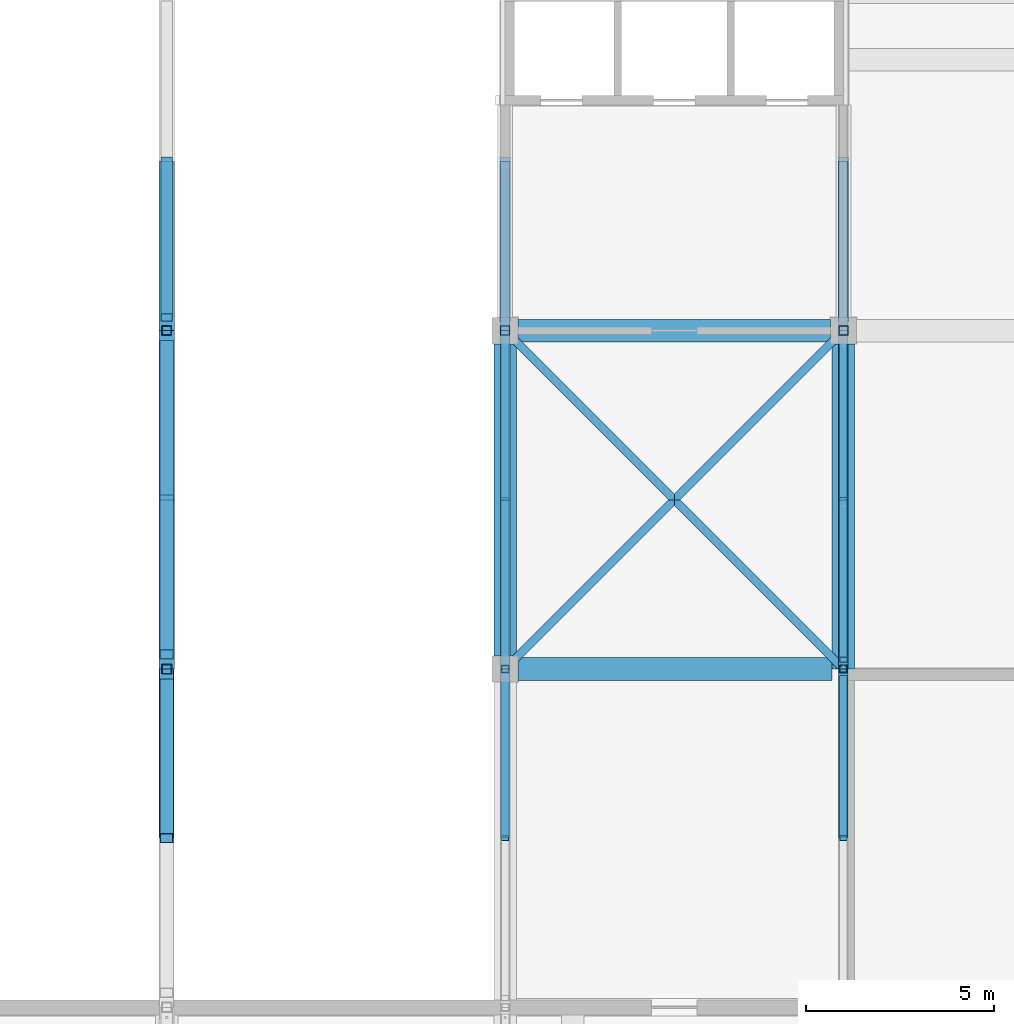
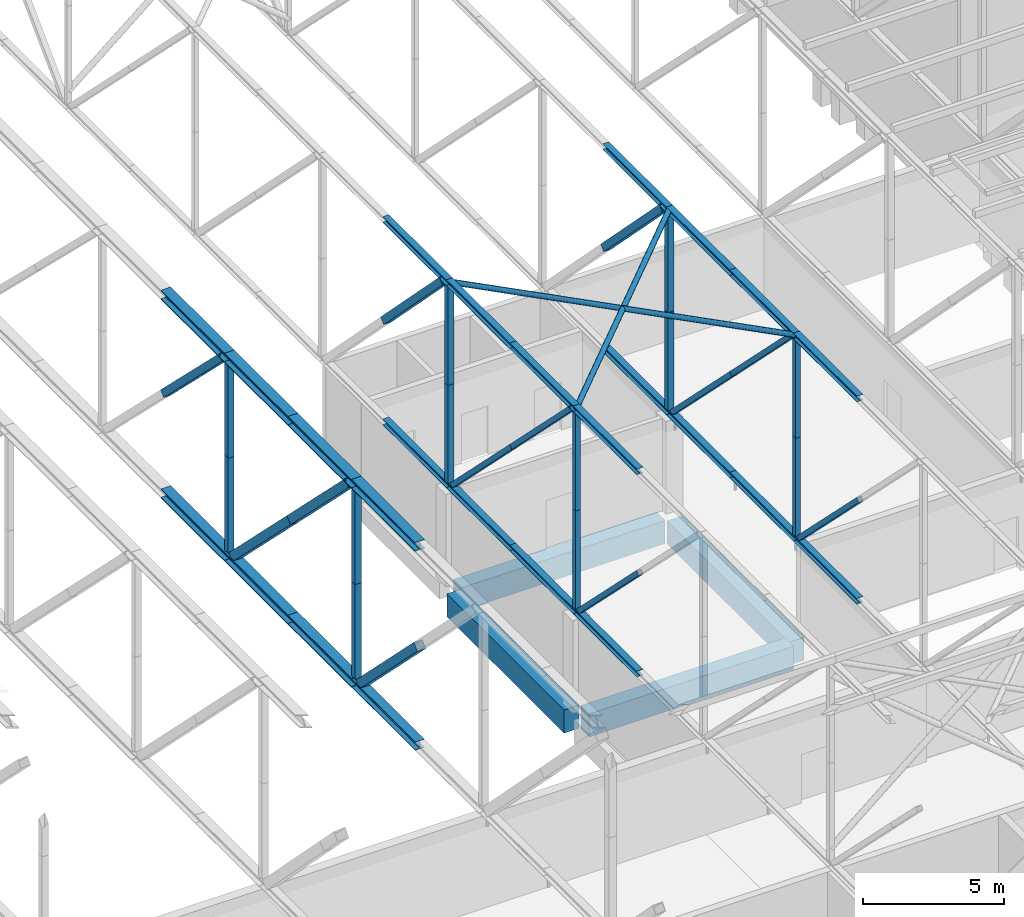
# One storey, part 46 of 646: 52 members, 4 beams.
"""IFC4 building model written with IfcOpenShell, lengths in metres."""

from ifc_helpers import new_model, si_unit, direction, frame, origin, origin_2d, place, context, subcontext, project, spatial, rectangle, hollow_rectangle, hollow_circle, i_section, extrude, material, material_profile, profile_set, type_object, element, save


model = new_model("IFC4")

# Units and contexts
model_context = context("Model", 3, precision=1e-05, world=origin(), true_north=direction((0.0, 1.0)))
body_context = subcontext(model_context, "Body", "Model", "MODEL_VIEW")
ifc_project = project(units=[si_unit("LENGTHUNIT", "METRE"), si_unit("AREAUNIT", "SQUARE_METRE"), si_unit("VOLUMEUNIT", "CUBIC_METRE"), si_unit("PLANEANGLEUNIT", "RADIAN"), si_unit("MASSUNIT", "GRAM", prefix="KILO")], contexts=[model_context])

# Site, building, storey
site_placement = place(None, origin())
site = spatial("IfcSite", under=ifc_project, at=site_placement, CompositionType="ELEMENT")
building_placement = place(site_placement, origin())
building = spatial("IfcBuilding", under=site, at=building_placement, Name="Silverbay Arena", CompositionType="ELEMENT")
storey_placement = place(building_placement, frame((0.0, 0.0, 33.5)))
storey = spatial("IfcBuildingStorey", under=building, at=storey_placement, Name="L05", CompositionType="ELEMENT", Elevation=33.5)

# Members
ifc_material_1 = material(Name="Steel S355", Category="steel")
ifc_material_profile_1 = material_profile(ifc_material_1, i_section(OverallWidth=0.37255859375, OverallDepth=0.3681640625, WebThickness=0.014404296875, FlangeThickness=0.023681640625, at=origin_2d()), Name="UC 356x368x177")
ifc_profile_set_1 = profile_set([ifc_material_profile_1], Name="Steel S355")
member_type_1 = type_object("IfcMemberType", Name="Main-span bottom chord UC 356x368x177", PredefinedType="CHORD", material=ifc_profile_set_1)
member_1_placement = place(storey_placement, frame((153.0, 40.5, 4.18408203125), z_axis=(0.0, 1.0, 0.0), x_axis=(-1.0, 0.0, 0.0)))
element("IfcMember", 1, at=member_1_placement, inside=storey, type_object=member_type_1, Name="ROOF TRUSS 18 bottom chord 04b", PredefinedType="CHORD", context=body_context, shape_type="SweptSolid", body=[
    extrude(i_section(OverallWidth=0.37255859375, OverallDepth=0.3681640625, WebThickness=0.014404296875, FlangeThickness=0.023681640625, at=origin_2d()), origin(), (0.0, 0.0, 1.0), 4.5),
])
ifc_material_2 = material(Name="Steel S355", Category="steel")
ifc_material_profile_2 = material_profile(ifc_material_2, i_section(OverallWidth=0.403076171875, OverallDepth=0.406494140625, WebThickness=0.026611328125, FlangeThickness=0.04296875, at=origin_2d()), Name="UC 356x406x340")
ifc_profile_set_2 = profile_set([ifc_material_profile_2], Name="Steel S355")
member_type_2 = type_object("IfcMemberType", Name="Main-span bottom chord UC 356x406x340", PredefinedType="CHORD", material=ifc_profile_set_2)
for number, where, z_axis, x_axis, name in (
    (2, (153.0, 45.0, 4.203125), (0.0, 1.0, 0.0), (-1.0, 0.0, 0.0), "ROOF TRUSS 18 bottom chord 05a"),
    (3, (153.0, 49.5, 4.203125), (0.0, 1.0, 0.0), (-1.0, 0.0, 0.0), "ROOF TRUSS 18 bottom chord 05b"),
    (4, (153.0, 54.0, 4.203125), (0.0, 1.0, 0.0), (-1.0, 0.0, 0.0), "ROOF TRUSS 18 bottom chord 06a"),
):
    element("IfcMember", number, at=place(storey_placement, frame(where, z_axis=z_axis, x_axis=x_axis)), inside=storey, type_object=member_type_2, Name=name, PredefinedType="CHORD", context=body_context, shape_type="SweptSolid", body=[
        extrude(i_section(OverallWidth=0.403076171875, OverallDepth=0.406494140625, WebThickness=0.026611328125, FlangeThickness=0.04296875, at=origin_2d()), origin(), (0.0, 0.0, 1.0), 4.5),
    ])
ifc_material_3 = material(Name="Steel S355", Category="steel")
ifc_material_profile_3 = material_profile(ifc_material_3, i_section(OverallWidth=0.39892578125, OverallDepth=0.3935546875, WebThickness=0.022705078125, FlangeThickness=0.03662109375, at=origin_2d()), Name="UC 356x406x287")
ifc_profile_set_3 = profile_set([ifc_material_profile_3], Name="Steel S355")
member_type_3 = type_object("IfcMemberType", Name="Main-span top chord UC 356x406x287", PredefinedType="CHORD", material=ifc_profile_set_3)
member_2_placement = place(storey_placement, frame((153.0, 40.5, 12.80322265625), z_axis=(0.0, 1.0, 0.0), x_axis=(-1.0, 0.0, 0.0)))
element("IfcMember", 5, at=member_2_placement, inside=storey, type_object=member_type_3, Name="ROOF TRUSS 18 top chord 04b", PredefinedType="CHORD", context=body_context, shape_type="SweptSolid", body=[
    extrude(i_section(OverallWidth=0.39892578125, OverallDepth=0.3935546875, WebThickness=0.022705078125, FlangeThickness=0.03662109375, at=origin_2d()), origin(), (0.0, 0.0, 1.0), 4.5),
])
ifc_material_4 = material(Name="Steel S355", Category="steel")
ifc_material_profile_4 = material_profile(ifc_material_4, i_section(OverallWidth=0.403076171875, OverallDepth=0.406494140625, WebThickness=0.026611328125, FlangeThickness=0.04296875, at=origin_2d()), Name="UC 356x406x340")
ifc_profile_set_4 = profile_set([ifc_material_profile_4], Name="Steel S355")
member_type_4 = type_object("IfcMemberType", Name="Main-span top chord UC 356x406x340", PredefinedType="CHORD", material=ifc_profile_set_4)
for number, where, z_axis, x_axis, name in (
    (6, (153.0, 45.0, 12.796875), (0.0, 1.0, 0.0), (-1.0, 0.0, 0.0), "ROOF TRUSS 18 top chord 05a"),
    (7, (153.0, 49.5, 12.796875), (0.0, 1.0, 0.0), (-1.0, 0.0, 0.0), "ROOF TRUSS 18 top chord 05b"),
    (8, (153.0, 54.0, 12.796875), (0.0, 1.0, 0.0), (-1.0, 0.0, 0.0), "ROOF TRUSS 18 top chord 06a"),
):
    element("IfcMember", number, at=place(storey_placement, frame(where, z_axis=z_axis, x_axis=x_axis)), inside=storey, type_object=member_type_4, Name=name, PredefinedType="CHORD", context=body_context, shape_type="SweptSolid", body=[
        extrude(i_section(OverallWidth=0.403076171875, OverallDepth=0.406494140625, WebThickness=0.026611328125, FlangeThickness=0.04296875, at=origin_2d()), origin(), (0.0, 0.0, 1.0), 4.5),
    ])
ifc_material_5 = material(Name="Steel S355", Category="steel")
ifc_material_profile_5 = material_profile(ifc_material_5, hollow_rectangle(XDim=0.300048828125, YDim=0.300048828125, WallThickness=0.012451171875, at=origin_2d()), Name="SHS 300x300x12.5")
ifc_profile_set_5 = profile_set([ifc_material_profile_5], Name="Steel S355")
member_type_5 = type_object("IfcMemberType", Name="Main-span truss diagonal SHS 300x300x12.5", PredefinedType="BRACE", material=ifc_profile_set_5)
member_3_placement = place(storey_placement, frame((153.0, 54.347900390625, 12.593505859375), z_axis=(0.0, 0.712752446816, -0.701415675301), x_axis=(-1.0, 0.0, 0.0)))
element("IfcMember", 9, at=member_3_placement, inside=storey, type_object=member_type_5, Name="ROOF TRUSS 18 diagonal 06a", PredefinedType="BRACE", context=body_context, shape_type="SweptSolid", body=[
    extrude(hollow_rectangle(XDim=0.300048828125, YDim=0.300048828125, WallThickness=0.012451171875, at=origin_2d()), origin(), (0.0, 0.0, 1.0), 5.836181640625),
])
ifc_material_6 = material(Name="Steel S355", Category="steel")
ifc_material_profile_6 = material_profile(ifc_material_6, hollow_rectangle(XDim=0.35009765625, YDim=0.35009765625, WallThickness=0.012451171875, at=origin_2d()), Name="SHS 350x350x12.5")
ifc_profile_set_6 = profile_set([ifc_material_profile_6], Name="Steel S355")
member_type_6 = type_object("IfcMemberType", Name="Main-span truss diagonal SHS 350x350x12.5", PredefinedType="BRACE", material=ifc_profile_set_6)
for number, where, z_axis, x_axis, name in (
    (10, (153.0, 45.39013671875, 12.593505859375), (0.0, 0.708724844097, -0.705485007182), (-1.0, 0.0, 0.0), "ROOF TRUSS 18 diagonal 05a"),
    (11, (153.0, 49.50244140625, 8.5), (0.0, 0.708745784671, -0.705463969818), (-1.0, 0.0, 0.0), "ROOF TRUSS 18 diagonal 05b"),
):
    element("IfcMember", number, at=place(storey_placement, frame(where, z_axis=z_axis, x_axis=x_axis)), inside=storey, type_object=member_type_6, Name=name, PredefinedType="BRACE", context=body_context, shape_type="SweptSolid", body=[
        extrude(hollow_rectangle(XDim=0.35009765625, YDim=0.35009765625, WallThickness=0.012451171875, at=origin_2d()), origin(), (0.0, 0.0, 1.0), 5.802490234375),
    ])
ifc_material_7 = material(Name="Steel S355", Category="steel")
ifc_material_profile_7 = material_profile(ifc_material_7, hollow_rectangle(XDim=0.35009765625, YDim=0.35009765625, WallThickness=0.01416015625, at=origin_2d()), Name="SHS 350x350x14.2")
ifc_profile_set_7 = profile_set([ifc_material_profile_7], Name="Steel S355")
member_type_7 = type_object("IfcMemberType", Name="Main-span truss diagonal SHS 350x350x14.2", PredefinedType="BRACE", material=ifc_profile_set_7)
member_4_placement = place(storey_placement, frame((153.0, 40.5, 8.4873046875), z_axis=(0.0, 0.706393232016, -0.707819611033), x_axis=(-1.0, 0.0, 0.0)))
element("IfcMember", 12, at=member_4_placement, inside=storey, type_object=member_type_7, Name="ROOF TRUSS 18 diagonal 04b", PredefinedType="BRACE", context=body_context, shape_type="SweptSolid", body=[
    extrude(hollow_rectangle(XDim=0.35009765625, YDim=0.35009765625, WallThickness=0.01416015625, at=origin_2d()), origin(), (0.0, 0.0, 1.0), 5.819580078125),
])
ifc_material_8 = material(Name="Steel S355", Category="steel")
ifc_material_profile_8 = material_profile(ifc_material_8, hollow_rectangle(XDim=0.25, YDim=0.25, WallThickness=0.010009765625, at=origin_2d()), Name="SHS 250x250x10")
ifc_profile_set_8 = profile_set([ifc_material_profile_8], Name="Steel S355")
member_type_8 = type_object("IfcMemberType", Name="Main-span truss vertical SHS 250x250x10", PredefinedType="STRUT", material=ifc_profile_set_8)
for number, where, z_axis, x_axis, name in (
    (13, (153.0, 54.0, 4.406494140625), (0.0, 0.0, 1.0), (1.0, 0.0, 0.0), "ROOF TRUSS 18 vertical 06a"),
    (14, (153.0, 54.0, 8.5), (0.0, 0.0, 1.0), (1.0, 0.0, 0.0), "ROOF TRUSS 18 vertical 06b"),
):
    element("IfcMember", number, at=place(storey_placement, frame(where, z_axis=z_axis, x_axis=x_axis)), inside=storey, type_object=member_type_8, Name=name, PredefinedType="STRUT", context=body_context, shape_type="SweptSolid", body=[
        extrude(hollow_rectangle(XDim=0.25, YDim=0.25, WallThickness=0.010009765625, at=origin_2d()), origin(), (0.0, 0.0, 1.0), 4.093505859375),
    ])
ifc_material_9 = material(Name="Steel S355", Category="steel")
ifc_material_profile_9 = material_profile(ifc_material_9, hollow_rectangle(XDim=0.260009765625, YDim=0.260009765625, WallThickness=0.010009765625, at=origin_2d()), Name="SHS 260x260x10")
ifc_profile_set_9 = profile_set([ifc_material_profile_9], Name="Steel S355")
member_type_9 = type_object("IfcMemberType", Name="Main-span truss vertical SHS 260x260x10", PredefinedType="STRUT", material=ifc_profile_set_9)
for number, where, z_axis, x_axis, name in (
    (15, (153.0, 45.0, 4.406494140625), (0.0, 0.0, 1.0), (1.0, 0.0, 0.0), "ROOF TRUSS 18 vertical 05a"),
    (16, (153.0, 45.0, 8.5), (0.0, 0.0, 1.0), (1.0, 0.0, 0.0), "ROOF TRUSS 18 vertical 05b"),
):
    element("IfcMember", number, at=place(storey_placement, frame(where, z_axis=z_axis, x_axis=x_axis)), inside=storey, type_object=member_type_9, Name=name, PredefinedType="STRUT", context=body_context, shape_type="SweptSolid", body=[
        extrude(hollow_rectangle(XDim=0.260009765625, YDim=0.260009765625, WallThickness=0.010009765625, at=origin_2d()), origin(), (0.0, 0.0, 1.0), 4.093505859375),
    ])
ifc_material_10 = material(Name="Steel S355", Category="steel")
ifc_material_profile_10 = material_profile(ifc_material_10, i_section(OverallWidth=0.254638671875, OverallDepth=0.254150390625, WebThickness=0.008544921875, FlangeThickness=0.01416015625, at=origin_2d()), Name="UC 254x254x73")
ifc_profile_set_10 = profile_set([ifc_material_profile_10], Name="Steel S355")
member_type_10 = type_object("IfcMemberType", Name="Medium-span bottom chord UC 254x254x73", PredefinedType="CHORD", material=ifc_profile_set_10)
for number, where, z_axis, x_axis, name in (
    (17, (162.0, 40.5, 4.126953125), (0.0, 1.0, 0.0), (-1.0, 0.0, 0.0), "ROOF TRUSS 19 bottom chord 04b"),
    (18, (162.0, 45.0, 4.126953125), (0.0, 1.0, 0.0), (-1.0, 0.0, 0.0), "ROOF TRUSS 19 bottom chord 05a"),
    (19, (162.0, 49.5, 4.126953125), (0.0, 1.0, 0.0), (-1.0, 0.0, 0.0), "ROOF TRUSS 19 bottom chord 05b"),
    (20, (162.0, 54.0, 4.126953125), (0.0, 1.0, 0.0), (-1.0, 0.0, 0.0), "ROOF TRUSS 19 bottom chord 06a"),
    (21, (171.0, 40.5, 4.126953125), (0.0, 1.0, 0.0), (-1.0, 0.0, 0.0), "ROOF TRUSS 20 bottom chord 04b"),
    (22, (171.0, 45.0, 4.126953125), (0.0, 1.0, 0.0), (-1.0, 0.0, 0.0), "ROOF TRUSS 20 bottom chord 05a"),
    (23, (171.0, 49.5, 4.126953125), (0.0, 1.0, 0.0), (-1.0, 0.0, 0.0), "ROOF TRUSS 20 bottom chord 05b"),
    (24, (171.0, 54.0, 4.126953125), (0.0, 1.0, 0.0), (-1.0, 0.0, 0.0), "ROOF TRUSS 20 bottom chord 06a"),
):
    element("IfcMember", number, at=place(storey_placement, frame(where, z_axis=z_axis, x_axis=x_axis)), inside=storey, type_object=member_type_10, Name=name, PredefinedType="CHORD", context=body_context, shape_type="SweptSolid", body=[
        extrude(i_section(OverallWidth=0.254638671875, OverallDepth=0.254150390625, WebThickness=0.008544921875, FlangeThickness=0.01416015625, at=origin_2d()), origin(), (0.0, 0.0, 1.0), 4.5),
    ])
ifc_material_11 = material(Name="Steel S355", Category="steel")
ifc_material_profile_11 = material_profile(ifc_material_11, i_section(OverallWidth=0.254638671875, OverallDepth=0.254150390625, WebThickness=0.008544921875, FlangeThickness=0.01416015625, at=origin_2d()), Name="UC 254x254x73")
ifc_profile_set_11 = profile_set([ifc_material_profile_11], Name="Steel S355")
member_type_11 = type_object("IfcMemberType", Name="Medium-span top chord UC 254x254x73", PredefinedType="CHORD", material=ifc_profile_set_11)
for number, where, z_axis, x_axis, name in (
    (25, (162.0, 40.5, 12.873046875), (0.0, 1.0, 0.0), (-1.0, 0.0, 0.0), "ROOF TRUSS 19 top chord 04b"),
    (26, (162.0, 45.0, 12.873046875), (0.0, 1.0, 0.0), (-1.0, 0.0, 0.0), "ROOF TRUSS 19 top chord 05a"),
    (27, (162.0, 49.5, 12.873046875), (0.0, 1.0, 0.0), (-1.0, 0.0, 0.0), "ROOF TRUSS 19 top chord 05b"),
    (28, (162.0, 54.0, 12.873046875), (0.0, 1.0, 0.0), (-1.0, 0.0, 0.0), "ROOF TRUSS 19 top chord 06a"),
    (29, (171.0, 40.5, 12.873046875), (0.0, 1.0, 0.0), (-1.0, 0.0, 0.0), "ROOF TRUSS 20 top chord 04b"),
    (30, (171.0, 45.0, 12.873046875), (0.0, 1.0, 0.0), (-1.0, 0.0, 0.0), "ROOF TRUSS 20 top chord 05a"),
    (31, (171.0, 49.5, 12.873046875), (0.0, 1.0, 0.0), (-1.0, 0.0, 0.0), "ROOF TRUSS 20 top chord 05b"),
    (32, (171.0, 54.0, 12.873046875), (0.0, 1.0, 0.0), (-1.0, 0.0, 0.0), "ROOF TRUSS 20 top chord 06a"),
):
    element("IfcMember", number, at=place(storey_placement, frame(where, z_axis=z_axis, x_axis=x_axis)), inside=storey, type_object=member_type_11, Name=name, PredefinedType="CHORD", context=body_context, shape_type="SweptSolid", body=[
        extrude(i_section(OverallWidth=0.254638671875, OverallDepth=0.254150390625, WebThickness=0.008544921875, FlangeThickness=0.01416015625, at=origin_2d()), origin(), (0.0, 0.0, 1.0), 4.5),
    ])
ifc_material_12 = material(Name="Steel S355", Category="steel")
ifc_material_profile_12 = material_profile(ifc_material_12, hollow_rectangle(XDim=0.199951171875, YDim=0.199951171875, WallThickness=0.008056640625, at=origin_2d()), Name="SHS 200x200x8")
ifc_profile_set_12 = profile_set([ifc_material_profile_12], Name="Steel S355")
member_type_12 = type_object("IfcMemberType", Name="Medium-span truss diagonal SHS 200x200x8", PredefinedType="BRACE", material=ifc_profile_set_12)
member_5_placement = place(storey_placement, frame((162.0, 40.5, 8.5), z_axis=(0.0, 0.70781724692, -0.706395600894), x_axis=(-1.0, 0.0, 0.0)))
element("IfcMember", 33, at=member_5_placement, inside=storey, type_object=member_type_12, Name="ROOF TRUSS 19 diagonal 04b", PredefinedType="BRACE", context=body_context, shape_type="SweptSolid", body=[
    extrude(hollow_rectangle(XDim=0.199951171875, YDim=0.199951171875, WallThickness=0.008056640625, at=origin_2d()), origin(), (0.0, 0.0, 1.0), 6.010498046875),
])
for number, where, z_axis, x_axis, name in (
    (34, (162.0, 45.24560546875, 12.745849609375), (0.0, 0.706781281828, -0.707432130778), (-1.0, 0.0, 0.0), "ROOF TRUSS 19 diagonal 05a"),
    (35, (162.0, 49.487548828125, 8.5), (0.0, 0.7067609232, -0.707452470091), (-1.0, 0.0, 0.0), "ROOF TRUSS 19 diagonal 05b"),
):
    element("IfcMember", number, at=place(storey_placement, frame(where, z_axis=z_axis, x_axis=x_axis)), inside=storey, type_object=member_type_12, Name=name, PredefinedType="BRACE", context=body_context, shape_type="SweptSolid", body=[
        extrude(hollow_rectangle(XDim=0.199951171875, YDim=0.199951171875, WallThickness=0.008056640625, at=origin_2d()), origin(), (0.0, 0.0, 1.0), 6.001708984375),
    ])
member_6_placement = place(storey_placement, frame((171.0, 40.5, 8.5), z_axis=(0.0, 0.70781724692, -0.706395600894), x_axis=(-1.0, 0.0, 0.0)))
element("IfcMember", 36, at=member_6_placement, inside=storey, type_object=member_type_12, Name="ROOF TRUSS 20 diagonal 04b", PredefinedType="BRACE", context=body_context, shape_type="SweptSolid", body=[
    extrude(hollow_rectangle(XDim=0.199951171875, YDim=0.199951171875, WallThickness=0.008056640625, at=origin_2d()), origin(), (0.0, 0.0, 1.0), 6.010498046875),
])
for number, where, z_axis, x_axis, name in (
    (37, (171.0, 45.24560546875, 12.745849609375), (0.0, 0.706781281828, -0.707432130778), (-1.0, 0.0, 0.0), "ROOF TRUSS 20 diagonal 05a"),
    (38, (171.0, 49.487548828125, 8.5), (0.0, 0.7067609232, -0.707452470091), (-1.0, 0.0, 0.0), "ROOF TRUSS 20 diagonal 05b"),
):
    element("IfcMember", number, at=place(storey_placement, frame(where, z_axis=z_axis, x_axis=x_axis)), inside=storey, type_object=member_type_12, Name=name, PredefinedType="BRACE", context=body_context, shape_type="SweptSolid", body=[
        extrude(hollow_rectangle(XDim=0.199951171875, YDim=0.199951171875, WallThickness=0.008056640625, at=origin_2d()), origin(), (0.0, 0.0, 1.0), 6.001708984375),
    ])
ifc_material_13 = material(Name="Steel S355", Category="steel")
ifc_material_profile_13 = material_profile(ifc_material_13, hollow_rectangle(XDim=0.300048828125, YDim=0.300048828125, WallThickness=0.012451171875, at=origin_2d()), Name="SHS 300x300x12.5")
ifc_profile_set_13 = profile_set([ifc_material_profile_13], Name="Steel S355")
member_type_13 = type_object("IfcMemberType", Name="Medium-span truss diagonal SHS 300x300x12.5", PredefinedType="BRACE", material=ifc_profile_set_13)
for number, where, z_axis, x_axis, name in (
    (39, (162.0, 54.343505859375, 12.745849609375), (0.0, 0.700196997117, -0.713949693766), (-1.0, 0.0, 0.0), "ROOF TRUSS 19 diagonal 06a"),
    (40, (171.0, 54.343505859375, 12.745849609375), (0.0, 0.700196997117, -0.713949693766), (-1.0, 0.0, 0.0), "ROOF TRUSS 20 diagonal 06a"),
):
    element("IfcMember", number, at=place(storey_placement, frame(where, z_axis=z_axis, x_axis=x_axis)), inside=storey, type_object=member_type_13, Name=name, PredefinedType="BRACE", context=body_context, shape_type="SweptSolid", body=[
        extrude(hollow_rectangle(XDim=0.300048828125, YDim=0.300048828125, WallThickness=0.012451171875, at=origin_2d()), origin(), (0.0, 0.0, 1.0), 5.947021484375),
    ])
ifc_material_14 = material(Name="Steel S355", Category="steel")
ifc_material_profile_14 = material_profile(ifc_material_14, hollow_rectangle(XDim=0.199951171875, YDim=0.199951171875, WallThickness=0.008056640625, at=origin_2d()), Name="SHS 200x200x8")
ifc_profile_set_14 = profile_set([ifc_material_profile_14], Name="Steel S355")
member_type_14 = type_object("IfcMemberType", Name="Medium-span truss vertical SHS 200x200x8", PredefinedType="STRUT", material=ifc_profile_set_14)
for number, where, z_axis, x_axis, name in (
    (41, (162.0, 45.0, 4.254150390625), (0.0, 0.0, 1.0), (1.0, 0.0, 0.0), "ROOF TRUSS 19 vertical 05a"),
    (42, (162.0, 45.0, 8.5), (0.0, 0.0, 1.0), (1.0, 0.0, 0.0), "ROOF TRUSS 19 vertical 05b"),
    (43, (171.0, 45.0, 4.254150390625), (0.0, 0.0, 1.0), (1.0, 0.0, 0.0), "ROOF TRUSS 20 vertical 05a"),
    (44, (171.0, 45.0, 8.5), (0.0, 0.0, 1.0), (1.0, 0.0, 0.0), "ROOF TRUSS 20 vertical 05b"),
):
    element("IfcMember", number, at=place(storey_placement, frame(where, z_axis=z_axis, x_axis=x_axis)), inside=storey, type_object=member_type_14, Name=name, PredefinedType="STRUT", context=body_context, shape_type="SweptSolid", body=[
        extrude(hollow_rectangle(XDim=0.199951171875, YDim=0.199951171875, WallThickness=0.008056640625, at=origin_2d()), origin(), (0.0, 0.0, 1.0), 4.245849609375),
    ])
ifc_material_15 = material(Name="Steel S355", Category="steel")
ifc_material_profile_15 = material_profile(ifc_material_15, hollow_rectangle(XDim=0.25, YDim=0.25, WallThickness=0.010009765625, at=origin_2d()), Name="SHS 250x250x10")
ifc_profile_set_15 = profile_set([ifc_material_profile_15], Name="Steel S355")
member_type_15 = type_object("IfcMemberType", Name="Medium-span truss vertical SHS 250x250x10", PredefinedType="STRUT", material=ifc_profile_set_15)
for number, where, z_axis, x_axis, name in (
    (45, (162.0, 54.0, 4.254150390625), (0.0, 0.0, 1.0), (1.0, 0.0, 0.0), "ROOF TRUSS 19 vertical 06a"),
    (46, (162.0, 54.0, 8.5), (0.0, 0.0, 1.0), (1.0, 0.0, 0.0), "ROOF TRUSS 19 vertical 06b"),
    (47, (171.0, 54.0, 4.254150390625), (0.0, 0.0, 1.0), (1.0, 0.0, 0.0), "ROOF TRUSS 20 vertical 06a"),
    (48, (171.0, 54.0, 8.5), (0.0, 0.0, 1.0), (1.0, 0.0, 0.0), "ROOF TRUSS 20 vertical 06b"),
):
    element("IfcMember", number, at=place(storey_placement, frame(where, z_axis=z_axis, x_axis=x_axis)), inside=storey, type_object=member_type_15, Name=name, PredefinedType="STRUT", context=body_context, shape_type="SweptSolid", body=[
        extrude(hollow_rectangle(XDim=0.25, YDim=0.25, WallThickness=0.010009765625, at=origin_2d()), origin(), (0.0, 0.0, 1.0), 4.245849609375),
    ])
ifc_material_16 = material(Name="Steel S355", Category="steel")
ifc_material_profile_16 = material_profile(ifc_material_16, hollow_circle(Radius=0.109619140625, WallThickness=0.00634765625, at=origin_2d()), Name="CHS 219.1x6.3")
ifc_profile_set_16 = profile_set([ifc_material_profile_16], Name="Steel S355")
member_type_16 = type_object("IfcMemberType", Name="Plan bracing CHS 219.1x6.3", PredefinedType="BRACE", material=ifc_profile_set_16)
for number, where, z_axis, x_axis, name in (
    (49, (162.0, 45.0, 12.873046875), (0.707106781187, 0.707106781187, 0.0), (-0.707106781187, 0.707106781187, 0.0), "ROOF BRACING top 19-20 panel 05 Aa"),
    (50, (166.5, 49.5, 12.873046875), (0.707106781187, 0.707106781187, 0.0), (-0.707106781187, 0.707106781187, 0.0), "ROOF BRACING top 19-20 panel 05 Ab"),
    (51, (162.0, 54.0, 12.873046875), (0.707106781187, -0.707106781187, 0.0), (0.707106781187, 0.707106781187, 0.0), "ROOF BRACING top 19-20 panel 05 Ba"),
    (52, (166.5, 49.5, 12.873046875), (0.707106781187, -0.707106781187, 0.0), (0.707106781187, 0.707106781187, 0.0), "ROOF BRACING top 19-20 panel 05 Bb"),
):
    element("IfcMember", number, at=place(storey_placement, frame(where, z_axis=z_axis, x_axis=x_axis)), inside=storey, type_object=member_type_16, Name=name, PredefinedType="BRACE", context=body_context, shape_type="SweptSolid", body=[
        extrude(hollow_circle(Radius=0.109619140625, WallThickness=0.00634765625, at=origin_2d()), origin(), (0.0, 0.0, 1.0), 6.364013671875),
    ])

# Beams
ifc_material_17 = material(Name="Concrete Grade C45", Category="concrete")
ifc_material_profile_17 = material_profile(ifc_material_17, rectangle(XDim=0.60009765625, YDim=1.0, at=origin_2d()), Name="RC 600x1000")
ifc_profile_set_17 = profile_set([ifc_material_profile_17], Name="Concrete Grade C45")
beam_type = type_object("IfcBeamType", Name="RC beam 600x1000", PredefinedType="BEAM", material=ifc_profile_set_17)
beam_1_placement = place(storey_placement, frame((162.35009765625, 45.0, -0.800048828125), z_axis=(1.0, 0.0, 0.0), x_axis=(0.0, 1.0, 0.0)))
element("IfcBeam", 53, at=beam_1_placement, inside=storey, type_object=beam_type, Name="Floor beam L05 017", PredefinedType="BEAM", context=body_context, shape_type="SweptSolid", body=[
    extrude(rectangle(XDim=0.60009765625, YDim=1.0, at=origin_2d()), origin(), (0.0, 0.0, 1.0), 8.349853515625),
])
for number, where, z_axis, x_axis, name in (
    (54, (162.35009765625, 54.0, -0.800048828125), (1.0, 0.0, 0.0), (0.0, 1.0, 0.0), "Floor beam L05 022"),
    (55, (162.0, 45.35009765625, -0.800048828125), (0.0, 1.0, 0.0), (-1.0, 0.0, 0.0), "Floor beam L05 123"),
):
    element("IfcBeam", number, at=place(storey_placement, frame(where, z_axis=z_axis, x_axis=x_axis)), inside=storey, type_object=beam_type, Name=name, PredefinedType="BEAM", context=body_context, shape_type="SweptSolid", body=[
        extrude(rectangle(XDim=0.60009765625, YDim=1.0, at=origin_2d()), origin(), (0.0, 0.0, 1.0), 8.2998046875),
    ])
beam_2_placement = place(storey_placement, frame((171.0, 45.0, -0.800048828125), z_axis=(0.0, 1.0, 0.0), x_axis=(-1.0, 0.0, 0.0)))
element("IfcBeam", 56, at=beam_2_placement, inside=storey, type_object=beam_type, Name="Floor beam L05 132", PredefinedType="BEAM", context=body_context, shape_type="SweptSolid", body=[
    extrude(rectangle(XDim=0.60009765625, YDim=1.0, at=origin_2d()), origin(), (0.0, 0.0, 1.0), 8.64990234375),
])

save(model, "model.ifc")
